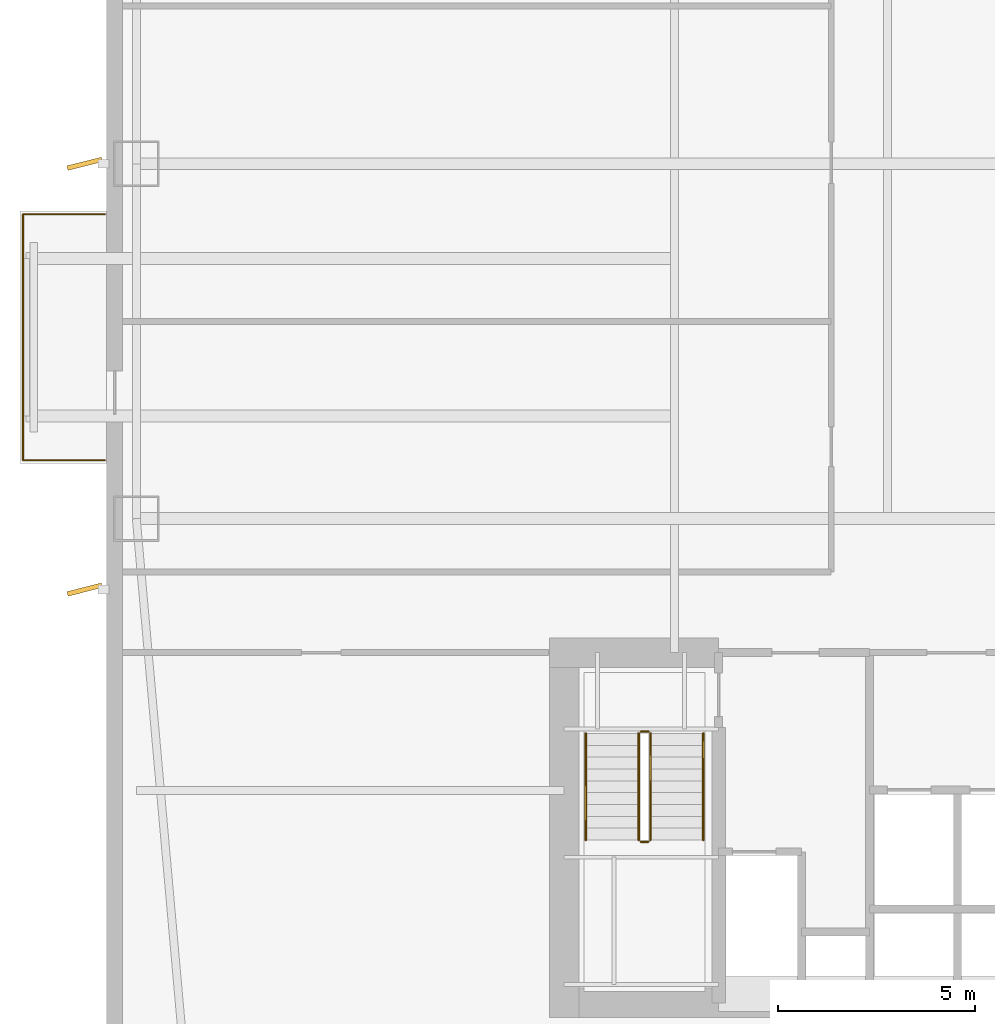
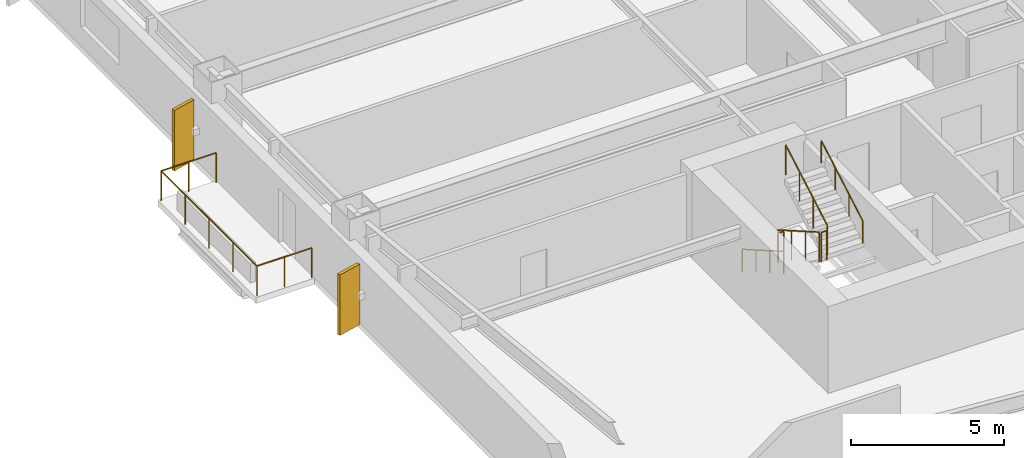
# One storey, part 13 of 18: 7 railings, 2 shading devices.
"""IFC4 building model written with IfcOpenShell, lengths in metres."""

from ifc_helpers import new_model, si_unit, direction, frame, origin, origin_2d, place, context, subcontext, project, spatial, rectangle, circle, extrude, material, layer, layer_set, type_object, element, save


model = new_model("IFC4")

# Units and contexts
model_context = context("Model", 3, precision=1e-05, world=origin(), true_north=direction((0.0, 1.0)))
body_context = subcontext(model_context, "Body", "Model", "MODEL_VIEW")
ifc_project = project(units=[si_unit("LENGTHUNIT", "METRE"), si_unit("AREAUNIT", "SQUARE_METRE"), si_unit("VOLUMEUNIT", "CUBIC_METRE"), si_unit("PLANEANGLEUNIT", "RADIAN"), si_unit("MASSUNIT", "GRAM", prefix="KILO")], contexts=[model_context])

# Site, building, storey
site_placement = place(None, origin())
site = spatial("IfcSite", under=ifc_project, at=site_placement, CompositionType="ELEMENT")
building_placement = place(site_placement, origin())
building = spatial("IfcBuilding", under=site, at=building_placement, Name="Qiaolan Cultural Towers", CompositionType="ELEMENT")
storey_placement = place(building_placement, frame((0.0, 0.0, 67.85009765625)))
storey = spatial("IfcBuildingStorey", under=building, at=storey_placement, Name="L16", CompositionType="ELEMENT", Elevation=67.85009765625)

# Railings
ifc_material_1 = material(Name="Laminated SentryGlas & Stainless Steel S31608 Balustrade", Category="steel")
railing_type_1 = type_object("IfcRailingType", Name="GRD-TERR-1200", PredefinedType="BALUSTRADE", material=ifc_material_1)
railing_1_placement = place(storey_placement, frame((10.14990234375, 26.47998046875, 0.0)))
element("IfcRailing", 1, at=railing_1_placement, inside=storey, type_object=railing_type_1, Name="L16 T1 Tree Balcony Guardrail W", PredefinedType="BALUSTRADE", context=body_context, shape_type="SweptSolid", body=[
    extrude(circle(Radius=0.02392578125, at=origin_2d()), frame((0.0, 0.0, 1.17578125), z_axis=(-1.0, 0.0, 0.0), x_axis=(0.0, -1.0, 0.0)), (0.0, 0.0, 1.0), 2.06982421875),
    extrude(circle(Radius=0.02392578125, at=origin_2d()), frame((-2.06982421875, 0.0, 1.17578125), z_axis=(0.0, 1.0, 0.0), x_axis=(-1.0, 0.0, 0.0)), (0.0, 0.0, 1.0), 6.239990234375),
    extrude(circle(Radius=0.02392578125, at=origin_2d()), frame((-2.06982421875, 6.239990234375, 1.17578125), z_axis=(1.0, 0.0, 0.0), x_axis=(0.0, 1.0, 0.0)), (0.0, 0.0, 1.0), 2.06982421875),
    extrude(circle(Radius=0.02099609375, at=origin_2d()), origin(), (0.0, 0.0, 1.0), 1.15185546875),
    extrude(circle(Radius=0.02099609375, at=origin_2d()), frame((-1.034912109375, 0.0, 0.0)), (0.0, 0.0, 1.0), 1.15185546875),
    extrude(circle(Radius=0.02099609375, at=origin_2d()), frame((-2.06982421875, 0.0, 0.0)), (0.0, 0.0, 1.0), 1.15185546875),
    extrude(circle(Radius=0.02099609375, at=origin_2d()), frame((-2.06982421875, 1.56005859375, 0.0)), (0.0, 0.0, 1.0), 1.15185546875),
    extrude(circle(Radius=0.02099609375, at=origin_2d()), frame((-2.06982421875, 3.1201171875, 0.0)), (0.0, 0.0, 1.0), 1.15185546875),
    extrude(circle(Radius=0.02099609375, at=origin_2d()), frame((-2.06982421875, 4.679931640625, 0.0)), (0.0, 0.0, 1.0), 1.15185546875),
    extrude(circle(Radius=0.02099609375, at=origin_2d()), frame((-2.06982421875, 6.239990234375, 0.0)), (0.0, 0.0, 1.0), 1.15185546875),
    extrude(circle(Radius=0.02099609375, at=origin_2d()), frame((-1.034912109375, 6.239990234375, 0.0)), (0.0, 0.0, 1.0), 1.15185546875),
    extrude(circle(Radius=0.02099609375, at=origin_2d()), frame((0.0, 6.239990234375, 0.0)), (0.0, 0.0, 1.0), 1.15185546875),
])
ifc_material_2 = material(Name="Galvanized Painted Steel Stair Guardrail", Category="steel")
railing_type_2 = type_object("IfcRailingType", Name="RL-STAIR-GRD", PredefinedType="GUARDRAIL", material=ifc_material_2)
railing_2_placement = place(storey_placement, frame((23.68994140625, 19.550048828125, 0.17236328125)))
element("IfcRailing", 2, at=railing_2_placement, inside=storey, type_object=railing_type_2, Name="L16 ST-W1 stair guard 1", PredefinedType="GUARDRAIL", context=body_context, shape_type="SweptSolid", body=[
    extrude(circle(Radius=0.02392578125, at=origin_2d()), frame((0.0, 0.0, 1.17578125), z_axis=(0.0, -0.866903762492, 0.498475542607), x_axis=(1.0, 0.0, 0.0)), (0.0, 0.0, 1.0), 3.114501953125),
    extrude(circle(Radius=0.02099609375, at=origin_2d()), origin(), (0.0, 0.0, 1.0), 1.15185546875),
    extrude(circle(Radius=0.02099609375, at=origin_2d()), frame((0.0, -0.89990234375, 0.517578125)), (0.0, 0.0, 1.0), 1.15185546875),
    extrude(circle(Radius=0.02099609375, at=origin_2d()), frame((0.0, -1.800048828125, 1.034912109375)), (0.0, 0.0, 1.0), 1.15185546875),
    extrude(circle(Radius=0.02099609375, at=origin_2d()), frame((0.0, -2.699951171875, 1.552490234375)), (0.0, 0.0, 1.0), 1.15185546875),
])
railing_3_placement = place(storey_placement, frame((23.739990234375, 16.800048828125, 1.724853515625)))
element("IfcRailing", 3, at=railing_3_placement, inside=storey, type_object=railing_type_2, Name="L16 ST-W1 stair guard 2", PredefinedType="GUARDRAIL", context=body_context, shape_type="SweptSolid", body=[
    extrude(circle(Radius=0.02392578125, at=origin_2d()), frame((0.0, 0.0, 1.17578125), z_axis=(1.0, 0.0, 0.0), x_axis=(0.0, 1.0, 0.0)), (0.0, 0.0, 1.0), 0.199951171875),
    extrude(circle(Radius=0.02099609375, at=origin_2d()), origin(), (0.0, 0.0, 1.0), 1.15185546875),
    extrude(circle(Radius=0.02099609375, at=origin_2d()), frame((0.199951171875, 0.0, 0.0)), (0.0, 0.0, 1.0), 1.15185546875),
])
railing_4_placement = place(storey_placement, frame((23.989990234375, 16.85009765625, 1.8974609375)))
element("IfcRailing", 4, at=railing_4_placement, inside=storey, type_object=railing_type_2, Name="L16 ST-W1 stair guard 3", PredefinedType="GUARDRAIL", context=body_context, shape_type="SweptSolid", body=[
    extrude(circle(Radius=0.02392578125, at=origin_2d()), frame((0.0, 0.0, 1.17578125), z_axis=(0.0, 0.866903762492, 0.498475542607), x_axis=(-1.0, 0.0, 0.0)), (0.0, 0.0, 1.0), 3.114501953125),
    extrude(circle(Radius=0.02099609375, at=origin_2d()), origin(), (0.0, 0.0, 1.0), 1.15185546875),
    extrude(circle(Radius=0.02099609375, at=origin_2d()), frame((0.0, 0.89990234375, 0.517578125)), (0.0, 0.0, 1.0), 1.15185546875),
    extrude(circle(Radius=0.02099609375, at=origin_2d()), frame((0.0, 1.800048828125, 1.034912109375)), (0.0, 0.0, 1.0), 1.15185546875),
    extrude(circle(Radius=0.02099609375, at=origin_2d()), frame((0.0, 2.699951171875, 1.552490234375)), (0.0, 0.0, 1.0), 1.15185546875),
])
railing_5_placement = place(storey_placement, frame((23.739990234375, 19.60009765625, 0.0)))
element("IfcRailing", 5, at=railing_5_placement, inside=storey, type_object=railing_type_2, Name="L16 ST-W1 stair guard 4", PredefinedType="GUARDRAIL", context=body_context, shape_type="SweptSolid", body=[
    extrude(circle(Radius=0.02392578125, at=origin_2d()), frame((0.0, 0.0, 1.17578125), z_axis=(1.0, 0.0, 0.0), x_axis=(0.0, 1.0, 0.0)), (0.0, 0.0, 1.0), 0.199951171875),
    extrude(circle(Radius=0.02099609375, at=origin_2d()), origin(), (0.0, 0.0, 1.0), 1.15185546875),
    extrude(circle(Radius=0.02099609375, at=origin_2d()), frame((0.199951171875, 0.0, 0.0)), (0.0, 0.0, 1.0), 1.15185546875),
])
ifc_material_3 = material(Name="Stainless Steel S30408 Tubular Handrail", Category="steel")
railing_type_3 = type_object("IfcRailingType", Name="RL-STAIR-HR", PredefinedType="HANDRAIL", material=ifc_material_3)
railing_6_placement = place(storey_placement, frame((22.35009765625, 19.550048828125, 0.17236328125)))
element("IfcRailing", 6, at=railing_6_placement, inside=storey, type_object=railing_type_3, Name="L16 ST-W1 stair handrail 1", PredefinedType="HANDRAIL", context=body_context, shape_type="SweptSolid", body=[
    extrude(circle(Radius=0.02392578125, at=origin_2d()), frame((0.0, 0.0, 0.8759765625), z_axis=(0.0, -0.866903762492, 0.498475542607), x_axis=(1.0, 0.0, 0.0)), (0.0, 0.0, 1.0), 3.114501953125),
    extrude(circle(Radius=0.02099609375, at=origin_2d()), origin(), (0.0, 0.0, 1.0), 0.851806640625),
    extrude(circle(Radius=0.02099609375, at=origin_2d()), frame((0.0, -0.89990234375, 0.517578125)), (0.0, 0.0, 1.0), 0.851806640625),
    extrude(circle(Radius=0.02099609375, at=origin_2d()), frame((0.0, -1.800048828125, 1.034912109375)), (0.0, 0.0, 1.0), 0.851806640625),
    extrude(circle(Radius=0.02099609375, at=origin_2d()), frame((0.0, -2.699951171875, 1.552490234375)), (0.0, 0.0, 1.0), 0.851806640625),
])
railing_7_placement = place(storey_placement, frame((25.330078125, 16.85009765625, 1.8974609375)))
element("IfcRailing", 7, at=railing_7_placement, inside=storey, type_object=railing_type_3, Name="L16 ST-W1 stair handrail 2", PredefinedType="HANDRAIL", context=body_context, shape_type="SweptSolid", body=[
    extrude(circle(Radius=0.02392578125, at=origin_2d()), frame((0.0, 0.0, 0.8759765625), z_axis=(0.0, 0.866903762492, 0.498475542607), x_axis=(-1.0, 0.0, 0.0)), (0.0, 0.0, 1.0), 3.114501953125),
    extrude(circle(Radius=0.02099609375, at=origin_2d()), origin(), (0.0, 0.0, 1.0), 0.851806640625),
    extrude(circle(Radius=0.02099609375, at=origin_2d()), frame((0.0, 0.89990234375, 0.517578125)), (0.0, 0.0, 1.0), 0.851806640625),
    extrude(circle(Radius=0.02099609375, at=origin_2d()), frame((0.0, 1.800048828125, 1.034912109375)), (0.0, 0.0, 1.0), 0.851806640625),
    extrude(circle(Radius=0.02099609375, at=origin_2d()), frame((0.0, 2.699951171875, 1.552490234375)), (0.0, 0.0, 1.0), 0.851806640625),
])

# Shading devices
ifc_material_4 = material(Name="Dark Basalt Honed Precast Terracotta Fin", Category="masonry")
ifc_layer = layer(ifc_material_4, 0.1201171875)
ifc_layer_set = layer_set([ifc_layer], Name="Dark Basalt Honed Precast Terracotta Fin")
shading_device_type = type_object("IfcShadingDeviceType", Name="SHD-FIN-DARK", PredefinedType="USERDEFINED", material=ifc_layer_set)
for number, where, z_axis, x_axis, name in (
    (8, (9.639892578125, 23.199951171875, 0.10009765625), (0.0, 0.0, 1.0), (0.969891617581, 0.243536958479, 0.0), "L16 T1 Expressive Precast Vertical Fin W1"),
    (9, (9.639892578125, 34.0, 0.10009765625), (0.0, 0.0, 1.0), (0.969891617581, 0.243536958479, 0.0), "L16 T1 Expressive Precast Vertical Fin W2"),
):
    element("IfcShadingDevice", number, at=place(storey_placement, frame(where, z_axis=z_axis, x_axis=x_axis)), inside=storey, type_object=shading_device_type, Name=name, ObjectType="FIN", PredefinedType="USERDEFINED", context=body_context, shape_type="SweptSolid", body=[
        extrude(rectangle(XDim=0.89990234375, YDim=0.1201171875, at=origin_2d()), origin(), (0.0, 0.0, 1.0), 2.409912109375),
    ])

save(model, "model.ifc")
